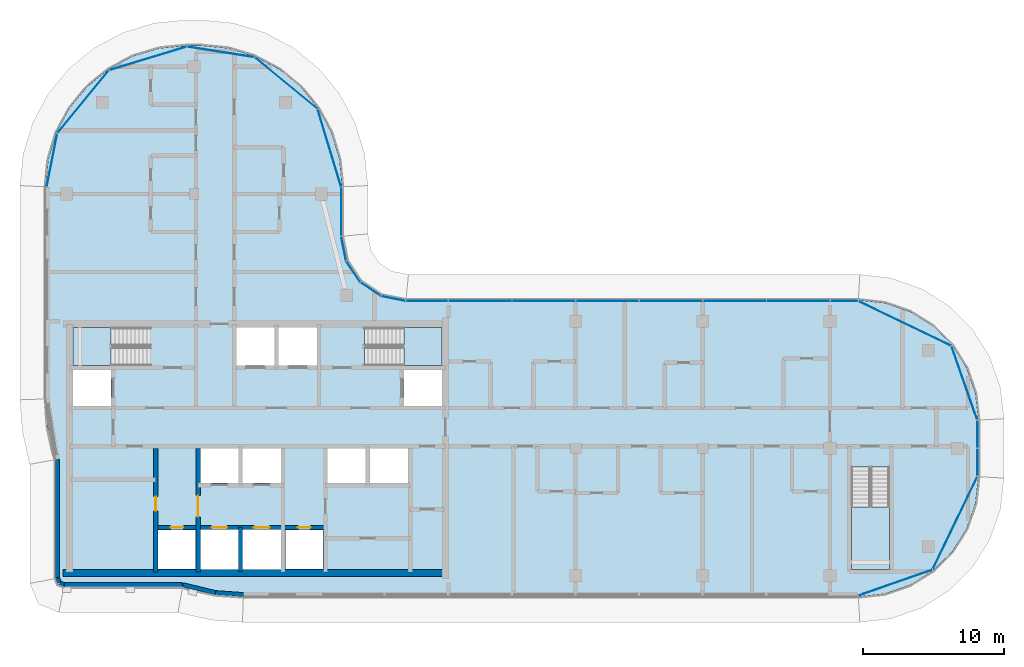
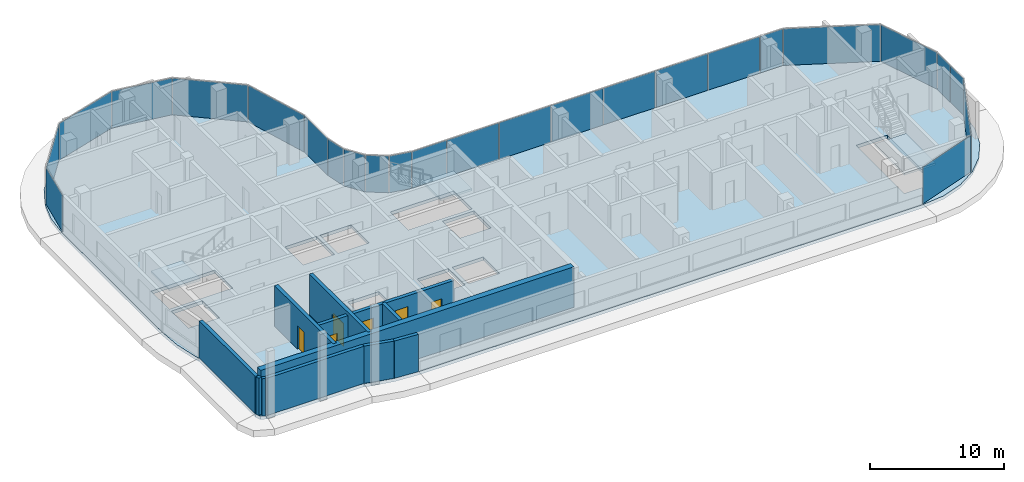
# One storey, part 8 of 21: 25 plates, 11 walls, 6 doors, 4 slabs, 6 openings, 10 elements without a shape of their own.
"""IFC4 building model written with IfcOpenShell, lengths in metres."""

import ifcopenshell
import ifcopenshell.guid

model = None  # the IFC model being written
_history = None  # IfcOwnerHistory: only IFC2X3 demands one
_inside = {}  # id of a spatial element -> (the spatial element, [elements in it])
_under = {}  # id of a project, library or spatial element -> (it, [spatial elements below it])
_declared = {}  # id of a project -> (the project, [libraries it declares])
_typed = {}  # id of a type object -> (the type object, [elements of that type])
_made_of = {}  # id of a material, layer set ... -> (it, [elements and type objects made of it])


def new_model(schema):
    """Start an empty IFC model of exactly this schema.

    Asked for "IFC4X3", IfcOpenShell would pick the latest addendum, in which some entities
    have other attributes; the version numbers below select the first issue.
    IFC2X3 requires an IfcOwnerHistory on every rooted entity: one is made here for all.
    """
    global model, _history
    if schema == "IFC4X3":
        model = ifcopenshell.file(schema_version=(4, 3, 0, 0))
    else:
        model = ifcopenshell.file(schema=schema)
    _inside.clear()
    _under.clear()
    _declared.clear()
    _typed.clear()
    _made_of.clear()
    _history = None
    if model.schema == "IFC2X3":
        org = make("IfcOrganization", Name="unknown")
        user = make(
            "IfcPersonAndOrganization",
            ThePerson=make("IfcPerson", FamilyName="unknown"),
            TheOrganization=org,
        )
        app = make(
            "IfcApplication",
            ApplicationDeveloper=org,
            Version="unknown",
            ApplicationFullName="unknown",
            ApplicationIdentifier="unknown",
        )
        _history = make(
            "IfcOwnerHistory",
            OwningUser=user,
            OwningApplication=app,
            ChangeAction="ADDED",
            CreationDate=0,
        )
    return model


def make(cls, **values):
    """One entity of the class cls with the attributes given. An attribute that is None is left unset."""
    return model.create_entity(
        cls, **{name: value for name, value in values.items() if value is not None}
    )


def rooted(cls, **values):
    """An entity with a GlobalId (a new one), such as an element, a storey or a relation."""
    return make(cls, GlobalId=ifcopenshell.guid.new(), OwnerHistory=_history, **values)


def si_unit(unit_type, name, prefix=None):
    """IfcSIUnit, for example si_unit("LENGTHUNIT", "METRE", prefix="MILLI")."""
    return make("IfcSIUnit", UnitType=unit_type, Prefix=prefix, Name=name)


def assignment(units):
    """IfcUnitAssignment: the units of a project."""
    return None if units is None else make("IfcUnitAssignment", Units=units)


def point(xyz):
    """IfcCartesianPoint."""
    return None if xyz is None else make("IfcCartesianPoint", Coordinates=xyz)


def direction(xyz):
    """IfcDirection."""
    return None if xyz is None else make("IfcDirection", DirectionRatios=xyz)


def frame(location, z_axis=None, x_axis=None):
    """IfcAxis2Placement3D, a coordinate frame: its origin and axes. An axis left out is left unset."""
    return make(
        "IfcAxis2Placement3D",
        Location=point(location),
        Axis=direction(z_axis),
        RefDirection=direction(x_axis),
    )


def frame_2d(location, x_axis=None):
    """IfcAxis2Placement2D, a coordinate frame in the plane: its origin and x axis."""
    return make(
        "IfcAxis2Placement2D", Location=point(location), RefDirection=direction(x_axis)
    )


def origin():
    """The frame at (0, 0, 0) with its axes left unset."""
    return frame((0.0, 0.0, 0.0))


def origin_2d():
    """The frame at (0, 0) in the plane with its x axis left unset."""
    return frame_2d((0.0, 0.0))


def place(relative_to, where):
    """IfcLocalPlacement: puts the frame where relative to a parent placement (None: the world)."""
    return make(
        "IfcLocalPlacement", PlacementRelTo=relative_to, RelativePlacement=where
    )


def context(
    kind, dimensions, precision=None, world=None, true_north=None, identifier=None
):
    """IfcGeometricRepresentationContext, for example the 3D "Model" context."""
    return make(
        "IfcGeometricRepresentationContext",
        ContextIdentifier=identifier,
        ContextType=kind,
        CoordinateSpaceDimension=dimensions,
        Precision=precision,
        WorldCoordinateSystem=world,
        TrueNorth=true_north,
    )


def subcontext(parent, identifier, kind, view, scale=None):
    """IfcGeometricRepresentationSubContext, for example "Body" below "Model"."""
    return make(
        "IfcGeometricRepresentationSubContext",
        ContextIdentifier=identifier,
        ContextType=kind,
        ParentContext=parent,
        TargetScale=scale,
        TargetView=view,
    )


def project(units=None, contexts=None):
    """IfcProject with its units and contexts."""
    return rooted(
        "IfcProject",
        Name="project",
        RepresentationContexts=contexts,
        UnitsInContext=assignment(units),
    )


def spatial(cls, under=None, at=None, **own):
    """A site, building, storey or space (cls), placed at a placement, below another one or the project."""
    s = rooted(cls, ObjectPlacement=at, **own)
    if under is not None:
        _under.setdefault(under.id(), (under, []))[1].append(s)
    return s


def polyline(points):
    """IfcPolyline through the points."""
    return make("IfcPolyline", Points=[point(p) for p in points])


def profile(cls, at=None, kind="AREA", **sizes):
    """A parametric profile (cls). Its sizes go by their IFC names, for example OverallWidth=200.0."""
    return make(cls, ProfileType=kind, Position=at, **sizes)


def rectangle(**sizes):
    """IfcRectangleProfileDef."""
    return profile("IfcRectangleProfileDef", **sizes)


def outline(outer, holes=None, kind="AREA"):
    """IfcArbitraryClosedProfileDef: a profile drawn as a closed curve; with holes, ...WithVoids."""
    if holes is None:
        return make("IfcArbitraryClosedProfileDef", ProfileType=kind, OuterCurve=outer)
    return make(
        "IfcArbitraryProfileDefWithVoids",
        ProfileType=kind,
        OuterCurve=outer,
        InnerCurves=holes,
    )


def extrude(swept, where, along, depth):
    """IfcExtrudedAreaSolid: the profile swept, set in the frame where, extruded along a direction by depth."""
    return make(
        "IfcExtrudedAreaSolid",
        SweptArea=swept,
        Position=where,
        ExtrudedDirection=direction(along),
        Depth=depth,
    )


def shape(context_of_items, identifier, shape_type, items):
    """IfcShapeRepresentation: the items that make up one representation, for example the "Body"."""
    return make(
        "IfcShapeRepresentation",
        ContextOfItems=context_of_items,
        RepresentationIdentifier=identifier,
        RepresentationType=shape_type,
        Items=items,
    )


def material(Name=None, Category=None):
    """IfcMaterial."""
    return make("IfcMaterial", Name=Name, Category=Category)


def layer(
    of_material, thickness, ventilated=None, Name=None, Category=None, Priority=None
):
    """IfcMaterialLayer: one layer of a wall or slab, of a material (None: an air gap)."""
    return make(
        "IfcMaterialLayer",
        Material=of_material,
        LayerThickness=thickness,
        IsVentilated=ventilated,
        Name=Name,
        Category=Category,
        Priority=Priority,
    )


def layer_set(layers, Name=None):
    """IfcMaterialLayerSet."""
    return make("IfcMaterialLayerSet", MaterialLayers=layers, LayerSetName=Name)


def made_of(thing, what):
    """Note that an element or type object is made of a material, layer set ...; save() writes the relation."""
    if what is not None:
        _made_of.setdefault(what.id(), (what, []))[1].append(thing)
    return thing


def type_object(cls, material=None, **own):
    """A type object (cls), such as IfcWallType, which elements share."""
    return made_of(rooted(cls, **own), material)


def element(
    cls,
    number,
    at=None,
    inside=None,
    cuts=None,
    type_object=None,
    material=None,
    context=None,
    identifier="Body",
    shape_type=None,
    held_by="IfcProductDefinitionShape",
    body=None,
    shapes=None,
    **own,
):
    """One element of the class cls, such as IfcWall. Its Tag is "e" and its number.

    at: its placement. inside: the storey or other place that contains it. cuts: it is an
    opening in that element (IfcRelVoidsElement). A single representation is given by context,
    identifier, shape_type and body (its items); several are given by shapes. held_by: the class
    of the entity that holds the representations. save() writes the other relations.
    """
    e = rooted(cls, Tag="e%d" % number, ObjectPlacement=at, **own)
    if body is not None:
        shapes = [shape(context, identifier, shape_type, body)]
    if shapes is not None:
        e.Representation = make(held_by, Representations=shapes)
    if inside is not None:
        _inside.setdefault(inside.id(), (inside, []))[1].append(e)
    if cuts is not None:
        rooted(
            "IfcRelVoidsElement", RelatingBuildingElement=cuts, RelatedOpeningElement=e
        )
    if type_object is not None:
        _typed.setdefault(type_object.id(), (type_object, []))[1].append(e)
    return made_of(e, material)


def fill(opening, filler):
    """IfcRelFillsElement: the door or window that sits in an opening."""
    return rooted(
        "IfcRelFillsElement",
        RelatingOpeningElement=opening,
        RelatedBuildingElement=filler,
    )


def aggregate(whole, parts):
    """IfcRelAggregates: a whole, such as a stair, and the parts it consists of."""
    return rooted("IfcRelAggregates", RelatingObject=whole, RelatedObjects=parts)


def save(model, path):
    """Write the relations noted so far, then the file.

    IfcRelAggregates (storeys below a building ...), IfcRelContainedInSpatialStructure (elements
    in a storey), IfcRelDefinesByType, IfcRelAssociatesMaterial and IfcRelDeclares: one each for
    every whole, place, type object, material and project.
    """
    for whole, parts in _under.values():
        aggregate(whole, parts)
    for where, things in _inside.values():
        rooted(
            "IfcRelContainedInSpatialStructure",
            RelatedElements=things,
            RelatingStructure=where,
        )
    for kind, things in _typed.values():
        rooted("IfcRelDefinesByType", RelatedObjects=things, RelatingType=kind)
    for what, things in _made_of.values():
        rooted("IfcRelAssociatesMaterial", RelatedObjects=things, RelatingMaterial=what)
    for by, libraries in _declared.values():
        rooted("IfcRelDeclares", RelatingContext=by, RelatedDefinitions=libraries)
    model.write(path)


model = new_model("IFC4")

# Units and contexts
model_context = context("Model", 3, precision=1e-05, world=origin(), true_north=direction((0.0, 1.0)))
body_context = subcontext(model_context, "Body", "Model", "MODEL_VIEW")
ifc_project = project(units=[si_unit("LENGTHUNIT", "METRE"), si_unit("AREAUNIT", "SQUARE_METRE"), si_unit("VOLUMEUNIT", "CUBIC_METRE"), si_unit("PLANEANGLEUNIT", "RADIAN"), si_unit("MASSUNIT", "GRAM", prefix="KILO")], contexts=[model_context])

# Site, building, storey
site_placement = place(None, origin())
site = spatial("IfcSite", under=ifc_project, at=site_placement, CompositionType="ELEMENT")
building_placement = place(site_placement, origin())
building = spatial("IfcBuilding", under=site, at=building_placement, Name="Ogive Portal Towers", CompositionType="ELEMENT")
storey_placement = place(building_placement, frame((0.0, 0.0, 225.39990234375)))
storey = spatial("IfcBuildingStorey", under=building, at=storey_placement, Name="L56", CompositionType="ELEMENT", Elevation=225.39990234375)

# Curtain wall, plates
ifc_material_1 = material(Name="Glass, clear low-iron insulated glazing", Category="glass")
curtain_wall_type = type_object("IfcCurtainWallType", Name="CW FRONT RIBBON 4500", PredefinedType="NOTDEFINED", material=ifc_material_1)
curtain_wall_1_placement = place(storey_placement, origin())
curtain_wall_1 = element("IfcCurtainWall", 1, at=curtain_wall_1_placement, inside=storey, type_object=curtain_wall_type, Name="A:L56:f09:cw0", PredefinedType="NOTDEFINED")
ifc_layer_1 = layer(ifc_material_1, 0.028076171875)
ifc_layer_set_1 = layer_set([ifc_layer_1], Name="CW PANEL IGU 28")
plate_type = type_object("IfcPlateType", Name="CW PANEL IGU 28", PredefinedType="CURTAIN_PANEL", material=ifc_layer_set_1)
plate_1_placement = place(storey_placement, frame((95.919921875, 29.509033203125, 0.0), z_axis=(0.0, 0.0, 1.0), x_axis=(0.0, 1.0, 0.0)))
plate_1 = element("IfcPlate", 2, at=plate_1_placement, type_object=plate_type, Name="panel", PredefinedType="CURTAIN_PANEL", context=body_context, shape_type="SweptSolid", body=[
    extrude(rectangle(XDim=1.921630859375, YDim=0.028076171875, at=origin_2d()), origin(), (0.0, 0.0, 1.0), 3.340087890625),
])
plate_2_placement = place(storey_placement, frame((95.919921875, 31.4931640625, 0.0), z_axis=(0.0, 0.0, 1.0), x_axis=(0.0, 1.0, 0.0)))
plate_2 = element("IfcPlate", 3, at=plate_2_placement, type_object=plate_type, Name="panel", PredefinedType="CURTAIN_PANEL", context=body_context, shape_type="SweptSolid", body=[
    extrude(rectangle(XDim=1.926513671875, YDim=0.028076171875, at=origin_2d()), origin(), (0.0, 0.0, 1.0), 3.340087890625),
])
aggregate(curtain_wall_1, [plate_1, plate_2])

curtain_wall_2_placement = place(storey_placement, origin())
curtain_wall_2 = element("IfcCurtainWall", 4, at=curtain_wall_2_placement, inside=storey, type_object=curtain_wall_type, Name="A:L56:f12:cw0", PredefinedType="NOTDEFINED")
plate_3_placement = place(storey_placement, frame((86.490966796875, 40.919921875, 0.0), z_axis=(0.0, 0.0, 1.0), x_axis=(-1.0, 0.0, 0.0)))
plate_3 = element("IfcPlate", 5, at=plate_3_placement, type_object=plate_type, Name="panel", PredefinedType="CURTAIN_PANEL", context=body_context, shape_type="SweptSolid", body=[
    extrude(rectangle(XDim=1.921630859375, YDim=0.028076171875, at=origin_2d()), origin(), (0.0, 0.0, 1.0), 3.340087890625),
])
plate_4_placement = place(storey_placement, frame((83.25, 40.919921875, 0.0), z_axis=(0.0, 0.0, 1.0), x_axis=(-1.0, 0.0, 0.0)))
plate_4 = element("IfcPlate", 6, at=plate_4_placement, type_object=plate_type, Name="panel", PredefinedType="CURTAIN_PANEL", context=body_context, shape_type="SweptSolid", body=[
    extrude(rectangle(XDim=4.43994140625, YDim=0.028076171875, at=origin_2d()), origin(), (0.0, 0.0, 1.0), 3.340087890625),
])
plate_5_placement = place(storey_placement, frame((78.75, 40.919921875, 0.0), z_axis=(0.0, 0.0, 1.0), x_axis=(-1.0, 0.0, 0.0)))
plate_5 = element("IfcPlate", 7, at=plate_5_placement, type_object=plate_type, Name="panel", PredefinedType="CURTAIN_PANEL", context=body_context, shape_type="SweptSolid", body=[
    extrude(rectangle(XDim=4.43994140625, YDim=0.028076171875, at=origin_2d()), origin(), (0.0, 0.0, 1.0), 3.340087890625),
])
plate_6_placement = place(storey_placement, frame((74.25, 40.919921875, 0.0), z_axis=(0.0, 0.0, 1.0), x_axis=(-1.0, 0.0, 0.0)))
plate_6 = element("IfcPlate", 8, at=plate_6_placement, type_object=plate_type, Name="panel", PredefinedType="CURTAIN_PANEL", context=body_context, shape_type="SweptSolid", body=[
    extrude(rectangle(XDim=4.43994140625, YDim=0.028076171875, at=origin_2d()), origin(), (0.0, 0.0, 1.0), 3.340087890625),
])
plate_7_placement = place(storey_placement, frame((69.75, 40.919921875, 0.0), z_axis=(0.0, 0.0, 1.0), x_axis=(-1.0, 0.0, 0.0)))
plate_7 = element("IfcPlate", 9, at=plate_7_placement, type_object=plate_type, Name="panel", PredefinedType="CURTAIN_PANEL", context=body_context, shape_type="SweptSolid", body=[
    extrude(rectangle(XDim=4.43994140625, YDim=0.028076171875, at=origin_2d()), origin(), (0.0, 0.0, 1.0), 3.340087890625),
])
plate_8_placement = place(storey_placement, frame((65.25, 40.919921875, 0.0), z_axis=(0.0, 0.0, 1.0), x_axis=(-1.0, 0.0, 0.0)))
plate_8 = element("IfcPlate", 10, at=plate_8_placement, type_object=plate_type, Name="panel", PredefinedType="CURTAIN_PANEL", context=body_context, shape_type="SweptSolid", body=[
    extrude(rectangle(XDim=4.43994140625, YDim=0.028076171875, at=origin_2d()), origin(), (0.0, 0.0, 1.0), 3.340087890625),
])
plate_9_placement = place(storey_placement, frame((60.75, 40.919921875, 0.0), z_axis=(0.0, 0.0, 1.0), x_axis=(-1.0, 0.0, 0.0)))
plate_9 = element("IfcPlate", 11, at=plate_9_placement, type_object=plate_type, Name="panel", PredefinedType="CURTAIN_PANEL", context=body_context, shape_type="SweptSolid", body=[
    extrude(rectangle(XDim=4.43994140625, YDim=0.028076171875, at=origin_2d()), origin(), (0.0, 0.0, 1.0), 3.340087890625),
])
plate_10_placement = place(storey_placement, frame((56.99609375, 40.919921875, 0.0), z_axis=(0.0, 0.0, 1.0), x_axis=(-1.0, 0.0, 0.0)))
plate_10 = element("IfcPlate", 12, at=plate_10_placement, type_object=plate_type, Name="panel", PredefinedType="CURTAIN_PANEL", context=body_context, shape_type="SweptSolid", body=[
    extrude(rectangle(XDim=2.947998046875, YDim=0.028076171875, at=origin_2d()), origin(), (0.0, 0.0, 1.0), 3.340087890625),
])
aggregate(curtain_wall_2, [plate_3, plate_4, plate_5, plate_6, plate_7, plate_8, plate_9, plate_10])

# Curtain wall, plate
curtain_wall_3_placement = place(storey_placement, origin())
curtain_wall_3 = element("IfcCurtainWall", 13, at=curtain_wall_3_placement, inside=storey, type_object=curtain_wall_type, Name="A:L56:f17:cw0", PredefinedType="NOTDEFINED")
plate_11_placement = place(storey_placement, frame((50.919921875, 47.240234375, 0.0), z_axis=(0.0, 0.0, 1.0), x_axis=(0.0, 1.0, 0.0)))
plate_11 = element("IfcPlate", 14, at=plate_11_placement, type_object=plate_type, Name="panel", PredefinedType="CURTAIN_PANEL", context=body_context, shape_type="SweptSolid", body=[
    extrude(rectangle(XDim=3.43603515625, YDim=0.028076171875, at=origin_2d()), origin(), (0.0, 0.0, 1.0), 3.340087890625),
])
aggregate(curtain_wall_3, [plate_11])

# Curtain wall, plates
curtain_wall_4_placement = place(storey_placement, origin())
curtain_wall_4 = element("IfcCurtainWall", 15, at=curtain_wall_4_placement, inside=storey, type_object=curtain_wall_type, Name="A:L56:f07:cwa", PredefinedType="NOTDEFINED")
plate_12_placement = place(storey_placement, frame((90.1142578125, 20.99951171875, 0.0), z_axis=(0.0, 0.0, 1.0), x_axis=(0.943883330307, 0.33027906196, 0.0)))
plate_12 = element("IfcPlate", 16, at=plate_12_placement, type_object=plate_type, Name="panel", PredefinedType="CURTAIN_PANEL", context=body_context, shape_type="SweptSolid", body=[
    extrude(rectangle(XDim=5.508056640625, YDim=0.028076171875, at=origin_2d()), origin(), (0.0, 0.0, 1.0), 3.340087890625),
])
plate_13_placement = place(storey_placement, frame((94.3310546875, 25.21875, 0.0), z_axis=(0.0, 0.0, 1.0), x_axis=(0.433883739113, 0.900968867905, 0.0)))
plate_13 = element("IfcPlate", 17, at=plate_13_placement, type_object=plate_type, Name="panel", PredefinedType="CURTAIN_PANEL", context=body_context, shape_type="SweptSolid", body=[
    extrude(rectangle(XDim=7.2646484375, YDim=0.028076171875, at=origin_2d()), origin(), (0.0, 0.0, 1.0), 3.340087890625),
])
aggregate(curtain_wall_4, [plate_12, plate_13])

curtain_wall_5_placement = place(storey_placement, origin())
curtain_wall_5 = element("IfcCurtainWall", 18, at=curtain_wall_5_placement, inside=storey, type_object=curtain_wall_type, Name="A:L56:f10:cwa", PredefinedType="NOTDEFINED")
plate_14_placement = place(storey_placement, frame((95.00048828125, 35.1142578125, 0.0), z_axis=(0.0, 0.0, 1.0), x_axis=(-0.33027906196, 0.943883330307, 0.0)))
plate_14 = element("IfcPlate", 19, at=plate_14_placement, type_object=plate_type, Name="panel", PredefinedType="CURTAIN_PANEL", context=body_context, shape_type="SweptSolid", body=[
    extrude(rectangle(XDim=5.508056640625, YDim=0.028076171875, at=origin_2d()), origin(), (0.0, 0.0, 1.0), 3.340087890625),
])
plate_15_placement = place(storey_placement, frame((90.78125, 39.3310546875, 0.0), z_axis=(0.0, 0.0, 1.0), x_axis=(-0.900968867905, 0.433883739113, 0.0)))
plate_15 = element("IfcPlate", 20, at=plate_15_placement, type_object=plate_type, Name="panel", PredefinedType="CURTAIN_PANEL", context=body_context, shape_type="SweptSolid", body=[
    extrude(rectangle(XDim=7.2646484375, YDim=0.028076171875, at=origin_2d()), origin(), (0.0, 0.0, 1.0), 3.340087890625),
])
aggregate(curtain_wall_5, [plate_14, plate_15])

curtain_wall_6_placement = place(storey_placement, origin())
curtain_wall_6 = element("IfcCurtainWall", 21, at=curtain_wall_6_placement, inside=storey, type_object=curtain_wall_type, Name="A:L56:f13:cwa", PredefinedType="NOTDEFINED")
plate_16_placement = place(storey_placement, frame((54.619384765625, 41.093505859375, 0.0), z_axis=(0.0, 0.0, 1.0), x_axis=(-0.980785280403, 0.195090322016, 0.0)))
plate_16 = element("IfcPlate", 22, at=plate_16_placement, type_object=plate_type, Name="panel", PredefinedType="CURTAIN_PANEL", context=body_context, shape_type="SweptSolid", body=[
    extrude(rectangle(XDim=1.7197265625, YDim=0.028076171875, at=origin_2d()), origin(), (0.0, 0.0, 1.0), 3.340087890625),
])
plate_17_placement = place(storey_placement, frame((53.00341796875, 41.763671875, 0.0), z_axis=(0.0, 0.0, 1.0), x_axis=(-0.831469612303, 0.55557023302, 0.0)))
plate_17 = element("IfcPlate", 23, at=plate_17_placement, type_object=plate_type, Name="panel", PredefinedType="CURTAIN_PANEL", context=body_context, shape_type="SweptSolid", body=[
    extrude(rectangle(XDim=1.7275390625, YDim=0.028076171875, at=origin_2d()), origin(), (0.0, 0.0, 1.0), 3.340087890625),
])
plate_18_placement = place(storey_placement, frame((51.763671875, 43.00341796875, 0.0), z_axis=(0.0, 0.0, 1.0), x_axis=(-0.55557023302, 0.831469612303, 0.0)))
plate_18 = element("IfcPlate", 24, at=plate_18_placement, type_object=plate_type, Name="panel", PredefinedType="CURTAIN_PANEL", context=body_context, shape_type="SweptSolid", body=[
    extrude(rectangle(XDim=1.7275390625, YDim=0.028076171875, at=origin_2d()), origin(), (0.0, 0.0, 1.0), 3.340087890625),
])
plate_19_placement = place(storey_placement, frame((51.093505859375, 44.619384765625, 0.0), z_axis=(0.0, 0.0, 1.0), x_axis=(-0.195090322016, 0.980785280403, 0.0)))
plate_19 = element("IfcPlate", 25, at=plate_19_placement, type_object=plate_type, Name="panel", PredefinedType="CURTAIN_PANEL", context=body_context, shape_type="SweptSolid", body=[
    extrude(rectangle(XDim=1.7197265625, YDim=0.028076171875, at=origin_2d()), origin(), (0.0, 0.0, 1.0), 3.340087890625),
])
aggregate(curtain_wall_6, [plate_16, plate_17, plate_18, plate_19])

curtain_wall_7_placement = place(storey_placement, origin())
curtain_wall_7 = element("IfcCurtainWall", 26, at=curtain_wall_7_placement, inside=storey, type_object=curtain_wall_type, Name="A:L56:f18:cwa", PredefinedType="NOTDEFINED")
plate_20_placement = place(storey_placement, frame((50.08251953125, 51.748779296875, 0.0), z_axis=(0.0, 0.0, 1.0), x_axis=(-0.290284677254, 0.956940335732, 0.0)))
plate_20 = element("IfcPlate", 27, at=plate_20_placement, type_object=plate_type, Name="panel", PredefinedType="CURTAIN_PANEL", context=body_context, shape_type="SweptSolid", body=[
    extrude(rectangle(XDim=5.70947265625, YDim=0.028076171875, at=origin_2d()), origin(), (0.0, 0.0, 1.0), 3.340087890625),
])
plate_21_placement = place(storey_placement, frame((47.01904296875, 56.336181640625, 0.0), z_axis=(0.0, 0.0, 1.0), x_axis=(-0.773010453363, 0.634393284164, 0.0)))
plate_21 = element("IfcPlate", 28, at=plate_21_placement, type_object=plate_type, Name="panel", PredefinedType="CURTAIN_PANEL", context=body_context, shape_type="SweptSolid", body=[
    extrude(rectangle(XDim=5.69970703125, YDim=0.028076171875, at=origin_2d()), origin(), (0.0, 0.0, 1.0), 3.340087890625),
])
plate_22_placement = place(storey_placement, frame((42.399169921875, 58.54052734375, 0.0), z_axis=(0.0, 0.0, 1.0), x_axis=(-0.987792174992, 0.155777466355, 0.0)))
plate_22 = element("IfcPlate", 29, at=plate_22_placement, type_object=plate_type, Name="panel", PredefinedType="CURTAIN_PANEL", context=body_context, shape_type="SweptSolid", body=[
    extrude(rectangle(XDim=4.786376953125, YDim=0.028076171875, at=origin_2d()), origin(), (0.0, 0.0, 1.0), 3.340087890625),
])
plate_23_placement = place(storey_placement, frame((37.248291015625, 58.08154296875, 0.0), z_axis=(0.0, 0.0, 1.0), x_axis=(-0.956940335732, -0.290284677254, 0.0)))
plate_23 = element("IfcPlate", 30, at=plate_23_placement, type_object=plate_type, Name="panel", PredefinedType="CURTAIN_PANEL", context=body_context, shape_type="SweptSolid", body=[
    extrude(rectangle(XDim=5.703125, YDim=0.028076171875, at=origin_2d()), origin(), (0.0, 0.0, 1.0), 3.340087890625),
])
plate_24_placement = place(storey_placement, frame((32.663330078125, 55.018310546875, 0.0), z_axis=(0.0, 0.0, 1.0), x_axis=(-0.634393284164, -0.773010453363, 0.0)))
plate_24 = element("IfcPlate", 31, at=plate_24_placement, type_object=plate_type, Name="panel", PredefinedType="CURTAIN_PANEL", context=body_context, shape_type="SweptSolid", body=[
    extrude(rectangle(XDim=5.701416015625, YDim=0.028076171875, at=origin_2d()), origin(), (0.0, 0.0, 1.0), 3.340087890625),
])
plate_25_placement = place(storey_placement, frame((30.457763671875, 50.891845703125, 0.0), z_axis=(0.0, 0.0, 1.0), x_axis=(-0.195090322016, -0.980785280403, 0.0)))
plate_25 = element("IfcPlate", 32, at=plate_25_placement, type_object=plate_type, Name="panel", PredefinedType="CURTAIN_PANEL", context=body_context, shape_type="SweptSolid", body=[
    extrude(rectangle(XDim=3.81396484375, YDim=0.028076171875, at=origin_2d()), origin(), (0.0, 0.0, 1.0), 3.340087890625),
])
aggregate(curtain_wall_7, [plate_20, plate_21, plate_22, plate_23, plate_24, plate_25])

# Stair, slab
ifc_material_2 = material(Name="Concrete C40/50", Category="concrete")
stair_type = type_object("IfcStairType", Name="INT-STAIR", PredefinedType="HALF_TURN_STAIR", material=ifc_material_2)
stair_1_placement = place(storey_placement, origin())
stair_1 = element("IfcStair", 33, at=stair_1_placement, inside=storey, type_object=stair_type, Name="L56 Exit Stair ST-A1", PredefinedType="HALF_TURN_STAIR")
ifc_layer_2 = layer(ifc_material_2, 0.199951171875)
ifc_layer_set_2 = layer_set([ifc_layer_2], Name="INT-LANDING")
slab_type_1 = type_object("IfcSlabType", Name="INT-LANDING", PredefinedType="LANDING", material=ifc_layer_set_2)
slab_1_placement = place(storey_placement, frame((0.0, 0.0, 1.650146484375)))
slab_1 = element("IfcSlab", 34, at=slab_1_placement, type_object=slab_type_1, Name="ST-A1 landing 1", PredefinedType="LANDING", context=body_context, shape_type="SweptSolid", body=[
    extrude(outline(polyline([(34.64990234375, 39.050048828125), (31.949951171875, 39.050048828125), (31.949951171875, 36.35009765625), (34.64990234375, 36.35009765625), (34.64990234375, 39.050048828125)])), origin(), (0.0, 0.0, 1.0), 0.199951171875),
])
aggregate(stair_1, [slab_1])

stair_2_placement = place(storey_placement, origin())
stair_2 = element("IfcStair", 35, at=stair_2_placement, inside=storey, type_object=stair_type, Name="L56 Exit Stair ST-A2", PredefinedType="HALF_TURN_STAIR")
slab_2_placement = place(storey_placement, frame((0.0, 0.0, 1.650146484375)))
slab_2 = element("IfcSlab", 36, at=slab_2_placement, type_object=slab_type_1, Name="ST-A2 landing 1", PredefinedType="LANDING", context=body_context, shape_type="SweptSolid", body=[
    extrude(outline(polyline([(55.35009765625, 36.35009765625), (58.050048828125, 36.35009765625), (58.050048828125, 39.050048828125), (55.35009765625, 39.050048828125), (55.35009765625, 36.35009765625)])), origin(), (0.0, 0.0, 1.0), 0.199951171875),
])
aggregate(stair_2, [slab_2])

stair_3_placement = place(storey_placement, origin())
stair_3 = element("IfcStair", 37, at=stair_3_placement, inside=storey, type_object=stair_type, Name="L56 Exit Stair ST-A4", PredefinedType="HALF_TURN_STAIR")
slab_3_placement = place(storey_placement, frame((0.0, 0.0, 1.650146484375)))
slab_3 = element("IfcSlab", 38, at=slab_3_placement, type_object=slab_type_1, Name="ST-A4 landing 1", PredefinedType="LANDING", context=body_context, shape_type="SweptSolid", body=[
    extrude(outline(polyline([(87.0, 26.3701171875), (87.0, 21.949951171875), (89.699951171875, 21.949951171875), (89.699951171875, 26.3701171875), (87.0, 26.3701171875)])), origin(), (0.0, 0.0, 1.0), 0.199951171875),
])
aggregate(stair_3, [slab_3])

# Slab
ifc_material_3 = material(Name="Concrete C45/55", Category="concrete")
ifc_layer_3 = layer(ifc_material_3, 0.300048828125)
ifc_layer_set_3 = layer_set([ifc_layer_3], Name="PT FLAT PLATE 300")
slab_type_2 = type_object("IfcSlabType", Name="PT FLAT PLATE 300", PredefinedType="FLOOR", material=ifc_layer_set_3)
slab_4_placement = place(storey_placement, frame((0.0, 0.0, -0.2998046875)))
element("IfcSlab", 39, at=slab_4_placement, inside=storey, type_object=slab_type_2, Name="Floor slab L56", PredefinedType="FLOOR", context=body_context, shape_type="SweptSolid", body=[
    extrude(outline(polyline([(30.142578125, 32.007568359375), (30.567138671875, 30.0556640625), (30.699951171875, 29.699462890625), (30.699951171875, 21.300048828125), (30.875732421875, 20.875732421875), (31.300048828125, 20.699951171875), (39.699462890625, 20.699951171875), (40.0556640625, 20.567138671875), (42.007568359375, 20.142578125), (44.0, 20.0), (87.5, 20.0), (89.391357421875, 20.213134765625), (91.18798828125, 20.841796875), (92.7998046875, 21.8544921875), (94.1455078125, 23.2001953125), (95.158203125, 24.81201171875), (95.786865234375, 26.608642578125), (96.0, 28.5), (96.0, 32.5), (95.786865234375, 34.391357421875), (95.158203125, 36.18798828125), (94.1455078125, 37.7998046875), (92.7998046875, 39.1455078125), (91.18798828125, 40.158203125), (89.391357421875, 40.786865234375), (87.5, 41.0), (55.5, 41.0), (53.77783203125, 41.342529296875), (52.318115234375, 42.318115234375), (51.342529296875, 43.77783203125), (51.0, 45.5), (51.0, 49.0), (50.807861328125, 50.950927734375), (50.23876953125, 52.826904296875), (49.314697265625, 54.5556640625), (48.071044921875, 56.071044921875), (46.5556640625, 57.314697265625), (44.826904296875, 58.23876953125), (42.950927734375, 58.807861328125), (41.0, 59.0), (40.0, 59.0), (38.049072265625, 58.807861328125), (36.173095703125, 58.23876953125), (34.4443359375, 57.314697265625), (32.928955078125, 56.071044921875), (31.685302734375, 54.5556640625), (30.76123046875, 52.826904296875), (30.192138671875, 50.950927734375), (30.0, 49.0), (30.0, 34.0), (30.142578125, 32.007568359375)]), holes=[polyline([(40.6298828125, 24.72998046875), (40.6298828125, 21.969970703125), (37.969970703125, 21.969970703125), (37.969970703125, 24.72998046875), (40.6298828125, 24.72998046875)]), polyline([(43.64990234375, 24.75), (43.64990234375, 21.949951171875), (40.949951171875, 21.949951171875), (40.949951171875, 24.75), (43.64990234375, 24.75)]), polyline([(46.64990234375, 24.75), (46.64990234375, 21.949951171875), (43.949951171875, 21.949951171875), (43.949951171875, 24.75), (46.64990234375, 24.75)]), polyline([(43.64990234375, 30.5), (43.64990234375, 28.050048828125), (40.949951171875, 28.050048828125), (40.949951171875, 30.5), (43.64990234375, 30.5)]), polyline([(46.64990234375, 30.5), (46.64990234375, 28.050048828125), (43.949951171875, 28.050048828125), (43.949951171875, 30.5), (46.64990234375, 30.5)]), polyline([(34.64990234375, 36.050048828125), (34.64990234375, 33.5), (31.949951171875, 33.5), (31.949951171875, 36.050048828125), (34.64990234375, 36.050048828125)]), polyline([(31.951904296875, 39.048095703125), (37.447998046875, 39.048095703125), (37.447998046875, 36.35205078125), (31.951904296875, 36.35205078125), (31.951904296875, 39.048095703125)]), polyline([(46.199951171875, 39.050048828125), (46.199951171875, 36.35009765625), (43.5, 36.35009765625), (43.5, 39.050048828125), (46.199951171875, 39.050048828125)]), polyline([(49.6298828125, 21.969970703125), (46.969970703125, 21.969970703125), (46.969970703125, 24.72998046875), (49.6298828125, 24.72998046875), (49.6298828125, 21.969970703125)]), polyline([(87.001953125, 21.951904296875), (87.001953125, 29.16796875), (89.697998046875, 29.16796875), (89.697998046875, 21.951904296875), (87.001953125, 21.951904296875)]), polyline([(52.64990234375, 30.5), (52.64990234375, 28.050048828125), (49.949951171875, 28.050048828125), (49.949951171875, 30.5), (52.64990234375, 30.5)]), polyline([(55.64990234375, 30.5), (55.64990234375, 28.050048828125), (52.949951171875, 28.050048828125), (52.949951171875, 30.5), (55.64990234375, 30.5)]), polyline([(58.050048828125, 36.050048828125), (58.050048828125, 33.5), (55.35009765625, 33.5), (55.35009765625, 36.050048828125), (58.050048828125, 36.050048828125)]), polyline([(49.199951171875, 39.050048828125), (49.199951171875, 36.35009765625), (46.5, 36.35009765625), (46.5, 39.050048828125), (49.199951171875, 39.050048828125)]), polyline([(58.048095703125, 36.35205078125), (52.552001953125, 36.35205078125), (52.552001953125, 39.048095703125), (58.048095703125, 39.048095703125), (58.048095703125, 36.35205078125)])]), origin(), (0.0, 0.0, 1.0), 0.2998046875),
])

# Wall, opening, door
ifc_material_4 = material(Name="Concrete C60/75", Category="concrete")
ifc_layer_4 = layer(ifc_material_4, 0.300048828125)
ifc_layer_set_4 = layer_set([ifc_layer_4], Name="CORE WALL 300 C60")
wall_type_1 = type_object("IfcWallType", Name="CORE WALL 300 C60", PredefinedType="SHEAR", material=ifc_layer_set_4)
wall_1_placement = place(storey_placement, frame((37.800048828125, 21.75, 0.0), z_axis=(0.0, 0.0, 1.0), x_axis=(0.0, 1.0, 0.0)))
wall_1 = element("IfcWall", 40, at=wall_1_placement, inside=storey, type_object=wall_type_1, Name="Core wall X1 L56", PredefinedType="SHEAR", context=body_context, shape_type="SweptSolid", body=[
    extrude(rectangle(XDim=8.75, YDim=0.300048828125, at=frame_2d((4.375, 0.0))), origin(), (0.0, 0.0, 1.0), 3.7001953125),
])
opening_1_placement = place(wall_1_placement, frame((4.337890625, 0.0, 0.0)))
opening_1 = element("IfcOpeningElement", 41, at=opening_1_placement, cuts=wall_1, Name="Opening D25-022", PredefinedType="OPENING", context=body_context, shape_type="SweptSolid", body=[
    extrude(rectangle(XDim=1.0, YDim=2.10009765625, at=frame_2d((0.5, 1.050048828125))), frame((0.0, 0.16015625, 0.0), z_axis=(0.0, -1.0, 0.0), x_axis=(1.0, 0.0, 0.0)), (0.0, 0.0, 1.0), 0.320068359375),
])
ifc_material_5 = material(Name="Steel fire door", Category="steel")
door_type_1 = type_object("IfcDoorType", Name="DT-SWING-1000x2100-FD90S", OperationType="SINGLE_SWING_LEFT", PredefinedType="DOOR", material=ifc_material_5)
door_1_placement = place(opening_1_placement, origin())
door_1 = element("IfcDoor", 42, at=door_1_placement, inside=storey, type_object=door_type_1, Name="Door D25-022", OperationType="SINGLE_SWING_RIGHT", OverallHeight=2.10009765625, OverallWidth=1.0, PredefinedType="DOOR", context=body_context, shape_type="SweptSolid", body=[
    extrude(rectangle(XDim=1.0, YDim=2.10009765625, at=frame_2d((0.5, 1.050048828125))), frame((0.0, 0.02490234375, 0.0), z_axis=(0.0, -1.0, 0.0), x_axis=(1.0, 0.0, 0.0)), (0.0, 0.0, 1.0), 0.050048828125),
])
fill(opening_1, door_1)

wall_2_placement = place(storey_placement, frame((40.800048828125, 21.75, 0.0), z_axis=(0.0, 0.0, 1.0), x_axis=(0.0, 1.0, 0.0)))
wall_2 = element("IfcWall", 43, at=wall_2_placement, inside=storey, type_object=wall_type_1, Name="Core wall X2 L56", PredefinedType="SHEAR", context=body_context, shape_type="SweptSolid", body=[
    extrude(rectangle(XDim=8.75, YDim=0.300048828125, at=frame_2d((4.375, 0.0))), origin(), (0.0, 0.0, 1.0), 3.7001953125),
])
opening_2_placement = place(wall_2_placement, frame((3.89990234375, 0.0, 0.0)))
opening_2 = element("IfcOpeningElement", 44, at=opening_2_placement, cuts=wall_2, Name="Opening D25-001", PredefinedType="OPENING", context=body_context, shape_type="SweptSolid", body=[
    extrude(rectangle(XDim=1.5, YDim=2.10009765625, at=frame_2d((0.75, 1.050048828125))), frame((0.0, 0.16015625, 0.0), z_axis=(0.0, -1.0, 0.0), x_axis=(1.0, 0.0, 0.0)), (0.0, 0.0, 1.0), 0.320068359375),
])
door_type_2 = type_object("IfcDoorType", Name="DT-SWING-1500x2100-FD90S", OperationType="SINGLE_SWING_LEFT", PredefinedType="DOOR", material=ifc_material_5)
door_2_placement = place(opening_2_placement, origin())
door_2 = element("IfcDoor", 45, at=door_2_placement, inside=storey, type_object=door_type_2, Name="Door D25-001", OperationType="SINGLE_SWING_RIGHT", OverallHeight=2.10009765625, OverallWidth=1.5, PredefinedType="DOOR", context=body_context, shape_type="SweptSolid", body=[
    extrude(rectangle(XDim=1.5, YDim=2.10009765625, at=frame_2d((0.75, 1.050048828125))), frame((0.0, 0.02490234375, 0.0), z_axis=(0.0, -1.0, 0.0), x_axis=(1.0, 0.0, 0.0)), (0.0, 0.0, 1.0), 0.050048828125),
])
fill(opening_2, door_2)

# Walls
ifc_layer_5 = layer(ifc_material_4, 0.5)
ifc_layer_set_5 = layer_set([ifc_layer_5], Name="CORE WALL 500 C60")
wall_type_2 = type_object("IfcWallType", Name="CORE WALL 500 C60", PredefinedType="SHEAR", material=ifc_layer_set_5)
wall_3_placement = place(storey_placement, frame((31.25, 21.699951171875, 0.0), z_axis=(0.0, 0.0, 1.0), x_axis=(1.0, 0.0, 0.0)))
element("IfcWall", 46, at=wall_3_placement, inside=storey, type_object=wall_type_2, Name="Core wall S L56", PredefinedType="SHEAR", context=body_context, shape_type="SweptSolid", body=[
    extrude(rectangle(XDim=27.0, YDim=0.5, at=frame_2d((13.5, 0.0))), origin(), (0.0, 0.0, 1.0), 3.7001953125),
])
ifc_material_6 = material(Name="Limestone cladding on lightweight block wall", Category="masonry")
ifc_layer_6 = layer(ifc_material_6, 0.300048828125)
ifc_layer_set_6 = layer_set([ifc_layer_6], Name="EXTERNAL WALL 300 STONE")
wall_type_3 = type_object("IfcWallType", Name="EXTERNAL WALL 300 STONE", PredefinedType="SOLIDWALL", material=ifc_layer_set_6)
wall_4_placement = place(storey_placement, frame((30.85009765625, 29.699462890625, 0.0), z_axis=(0.0, 0.0, 1.0), x_axis=(0.0, -1.0, 0.0)))
element("IfcWall", 47, at=wall_4_placement, inside=storey, type_object=wall_type_3, Name="A:L56:f00:r0:wall", PredefinedType="SOLIDWALL", context=body_context, shape_type="SweptSolid", body=[
    extrude(rectangle(XDim=8.33984375, YDim=0.300048828125, at=frame_2d((4.169921875, 0.0))), origin(), (0.0, 0.0, 1.0), 3.400146484375),
])
for number, where, z_axis, x_axis, name in (
    (48, (30.861328125, 21.30224609375, 0.0), (0.0, 0.0, 1.0), (0.38297812142, -0.923757413239, 0.0), "A:L56:f01:r0:wall"),
    (49, (31.0478515625, 20.966796875, 0.0), (0.0, 0.0, 1.0), (0.923757413239, -0.38297812142, 0.0), "A:L56:f02:r0:wall"),
):
    element("IfcWall", number, at=place(storey_placement, frame(where, z_axis=z_axis, x_axis=x_axis)), inside=storey, type_object=wall_type_3, Name=name, PredefinedType="SOLIDWALL", context=body_context, shape_type="SweptSolid", body=[
        extrude(rectangle(XDim=0.275390625, YDim=0.300048828125, at=frame_2d((0.1376953125, 0.0))), origin(), (0.0, 0.0, 1.0), 3.400146484375),
    ])
wall_5_placement = place(storey_placement, frame((31.359619140625, 20.85009765625, 0.0), z_axis=(0.0, 0.0, 1.0), x_axis=(1.0, 0.0, 0.0)))
element("IfcWall", 50, at=wall_5_placement, inside=storey, type_object=wall_type_3, Name="A:L56:f03:r0:wall", PredefinedType="SOLIDWALL", context=body_context, shape_type="SweptSolid", body=[
    extrude(rectangle(XDim=8.33984375, YDim=0.300048828125, at=frame_2d((4.169921875, 0.0))), origin(), (0.0, 0.0, 1.0), 3.400146484375),
])
wall_6_placement = place(storey_placement, frame((39.734619140625, 20.845703125, 0.0), z_axis=(0.0, 0.0, 1.0), x_axis=(0.97206095595, -0.234728562212, 0.0)))
element("IfcWall", 51, at=wall_6_placement, inside=storey, type_object=wall_type_3, Name="A:L56:f04:r0:wall", PredefinedType="SOLIDWALL", context=body_context, shape_type="SweptSolid", body=[
    extrude(rectangle(XDim=2.349609375, YDim=0.300048828125, at=frame_2d((1.1748046875, 0.0))), origin(), (0.0, 0.0, 1.0), 3.400146484375),
])
wall_7_placement = place(storey_placement, frame((42.043212890625, 20.290283203125, 0.0), z_axis=(0.0, 0.0, 1.0), x_axis=(0.997454275884, -0.071308958214, 0.0)))
element("IfcWall", 52, at=wall_7_placement, inside=storey, type_object=wall_type_3, Name="A:L56:f05:r0:wall", PredefinedType="SOLIDWALL", context=body_context, shape_type="SweptSolid", body=[
    extrude(rectangle(XDim=1.961669921875, YDim=0.300048828125, at=frame_2d((0.98095703125, 0.0))), origin(), (0.0, 0.0, 1.0), 3.400146484375),
])

# Wall, openings, doors
ifc_layer_7 = layer(ifc_material_2, 0.300048828125)
ifc_layer_set_7 = layer_set([ifc_layer_7], Name="WT-SHAFT-300")
wall_type_4 = type_object("IfcWallType", Name="WT-SHAFT-300", PredefinedType="SOLIDWALL", material=ifc_layer_set_7)
wall_8_placement = place(storey_placement, frame((37.800048828125, 24.89990234375, 0.0), z_axis=(0.0, 0.0, 1.0), x_axis=(1.0, 0.0, 0.0)))
wall_8 = element("IfcWall", 53, at=wall_8_placement, inside=storey, type_object=wall_type_4, Name="Wall pw:002:L56", PredefinedType="SOLIDWALL", context=body_context, shape_type="SweptSolid", body=[
    extrude(rectangle(XDim=12.0, YDim=0.300048828125, at=frame_2d((6.0, 0.0))), origin(), (0.0, 0.0, 1.0), 3.400146484375),
])
opening_3_placement = place(wall_8_placement, frame((1.050048828125, 0.0, 0.0)))
opening_3 = element("IfcOpeningElement", 54, at=opening_3_placement, cuts=wall_8, Name="Opening D25-007", PredefinedType="OPENING", context=body_context, shape_type="SweptSolid", body=[
    extrude(rectangle(XDim=0.89990234375, YDim=2.10009765625, at=frame_2d((0.449951171875, 1.050048828125))), frame((0.0, 0.16015625, 0.0), z_axis=(0.0, -1.0, 0.0), x_axis=(1.0, 0.0, 0.0)), (0.0, 0.0, 1.0), 0.320068359375),
])
opening_4_placement = place(wall_8_placement, frame((10.050048828125, 0.0, 0.0)))
opening_4 = element("IfcOpeningElement", 55, at=opening_4_placement, cuts=wall_8, Name="Opening D25-008", PredefinedType="OPENING", context=body_context, shape_type="SweptSolid", body=[
    extrude(rectangle(XDim=0.89990234375, YDim=2.10009765625, at=frame_2d((0.449951171875, 1.050048828125))), frame((0.0, 0.16015625, 0.0), z_axis=(0.0, -1.0, 0.0), x_axis=(1.0, 0.0, 0.0)), (0.0, 0.0, 1.0), 0.320068359375),
])
opening_5_placement = place(wall_8_placement, frame((3.949951171875, 0.0, 0.0)))
opening_5 = element("IfcOpeningElement", 56, at=opening_5_placement, cuts=wall_8, Name="Opening D25-013", PredefinedType="OPENING", context=body_context, shape_type="SweptSolid", body=[
    extrude(rectangle(XDim=1.10009765625, YDim=2.39990234375, at=frame_2d((0.550048828125, 1.199951171875))), frame((0.0, 0.16015625, 0.0), z_axis=(0.0, -1.0, 0.0), x_axis=(1.0, 0.0, 0.0)), (0.0, 0.0, 1.0), 0.320068359375),
])
opening_6_placement = place(wall_8_placement, frame((6.949951171875, 0.0, 0.0)))
opening_6 = element("IfcOpeningElement", 57, at=opening_6_placement, cuts=wall_8, Name="Opening D25-014", PredefinedType="OPENING", context=body_context, shape_type="SweptSolid", body=[
    extrude(rectangle(XDim=1.10009765625, YDim=2.39990234375, at=frame_2d((0.550048828125, 1.199951171875))), frame((0.0, 0.16015625, 0.0), z_axis=(0.0, -1.0, 0.0), x_axis=(1.0, 0.0, 0.0)), (0.0, 0.0, 1.0), 0.320068359375),
])
ifc_material_7 = material(Name="Stainless steel", Category="steel")
door_type_3 = type_object("IfcDoorType", Name="DT-LD-1100x2400", OperationType="SLIDING_TO_LEFT", PredefinedType="DOOR", material=ifc_material_7)
door_3_placement = place(opening_5_placement, origin())
door_3 = element("IfcDoor", 58, at=door_3_placement, inside=storey, type_object=door_type_3, Name="Door D25-013", OperationType="SLIDING_TO_LEFT", OverallHeight=2.39990234375, OverallWidth=1.10009765625, PredefinedType="DOOR", context=body_context, shape_type="SweptSolid", body=[
    extrude(rectangle(XDim=1.10009765625, YDim=2.39990234375, at=frame_2d((0.550048828125, 1.199951171875))), frame((0.0, 0.02490234375, 0.0), z_axis=(0.0, -1.0, 0.0), x_axis=(1.0, 0.0, 0.0)), (0.0, 0.0, 1.0), 0.050048828125),
])
fill(opening_5, door_3)
door_4_placement = place(opening_6_placement, origin())
door_4 = element("IfcDoor", 59, at=door_4_placement, inside=storey, type_object=door_type_3, Name="Door D25-014", OperationType="SLIDING_TO_LEFT", OverallHeight=2.39990234375, OverallWidth=1.10009765625, PredefinedType="DOOR", context=body_context, shape_type="SweptSolid", body=[
    extrude(rectangle(XDim=1.10009765625, YDim=2.39990234375, at=frame_2d((0.550048828125, 1.199951171875))), frame((0.0, 0.02490234375, 0.0), z_axis=(0.0, -1.0, 0.0), x_axis=(1.0, 0.0, 0.0)), (0.0, 0.0, 1.0), 0.050048828125),
])
fill(opening_6, door_4)
door_type_4 = type_object("IfcDoorType", Name="DT-SWING-900x2100-FD90S", OperationType="SINGLE_SWING_LEFT", PredefinedType="DOOR", material=ifc_material_5)
door_5_placement = place(opening_3_placement, origin())
door_5 = element("IfcDoor", 60, at=door_5_placement, inside=storey, type_object=door_type_4, Name="Riser access door D25-007", OperationType="SINGLE_SWING_LEFT", OverallHeight=2.10009765625, OverallWidth=0.89990234375, PredefinedType="DOOR", context=body_context, shape_type="SweptSolid", body=[
    extrude(rectangle(XDim=0.89990234375, YDim=2.10009765625, at=frame_2d((0.449951171875, 1.050048828125))), frame((0.0, 0.02490234375, 0.0), z_axis=(0.0, -1.0, 0.0), x_axis=(1.0, 0.0, 0.0)), (0.0, 0.0, 1.0), 0.050048828125),
])
fill(opening_3, door_5)
door_6_placement = place(opening_4_placement, origin())
door_6 = element("IfcDoor", 61, at=door_6_placement, inside=storey, type_object=door_type_4, Name="Riser access door D25-008", OperationType="SINGLE_SWING_RIGHT", OverallHeight=2.10009765625, OverallWidth=0.89990234375, PredefinedType="DOOR", context=body_context, shape_type="SweptSolid", body=[
    extrude(rectangle(XDim=0.89990234375, YDim=2.10009765625, at=frame_2d((0.449951171875, 1.050048828125))), frame((0.0, 0.02490234375, 0.0), z_axis=(0.0, -1.0, 0.0), x_axis=(1.0, 0.0, 0.0)), (0.0, 0.0, 1.0), 0.050048828125),
])
fill(opening_4, door_6)

# Wall
wall_9_placement = place(storey_placement, frame((43.800048828125, 21.800048828125, 0.0), z_axis=(0.0, 0.0, 1.0), x_axis=(0.0, 1.0, 0.0)))
element("IfcWall", 62, at=wall_9_placement, inside=storey, type_object=wall_type_4, Name="Wall pw:008:L56", PredefinedType="SOLIDWALL", context=body_context, shape_type="SweptSolid", body=[
    extrude(rectangle(XDim=3.099853515625, YDim=0.300048828125, at=frame_2d((1.5498046875, 0.0))), origin(), (0.0, 0.0, 1.0), 3.400146484375),
])

save(model, "model.ifc")
